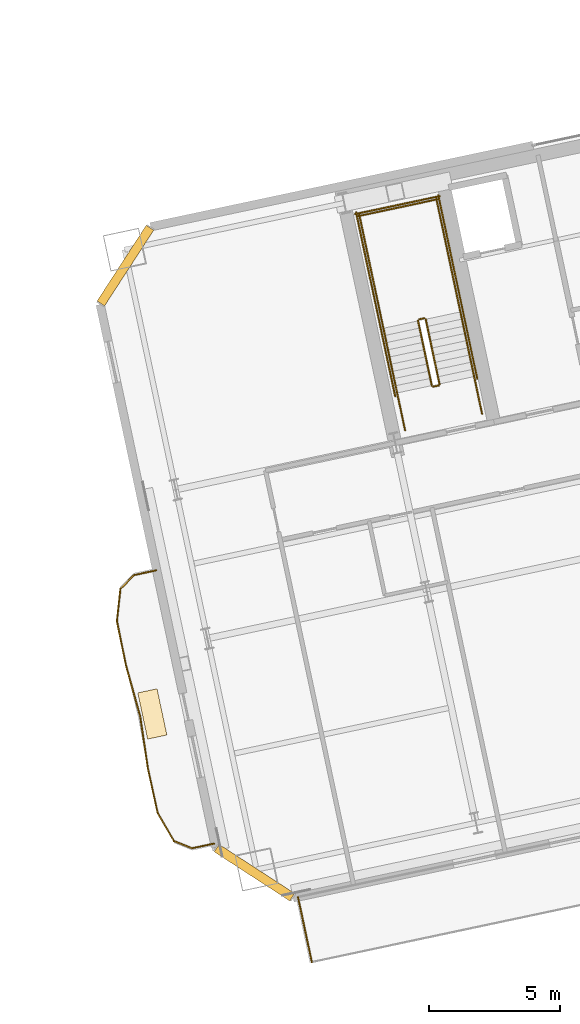
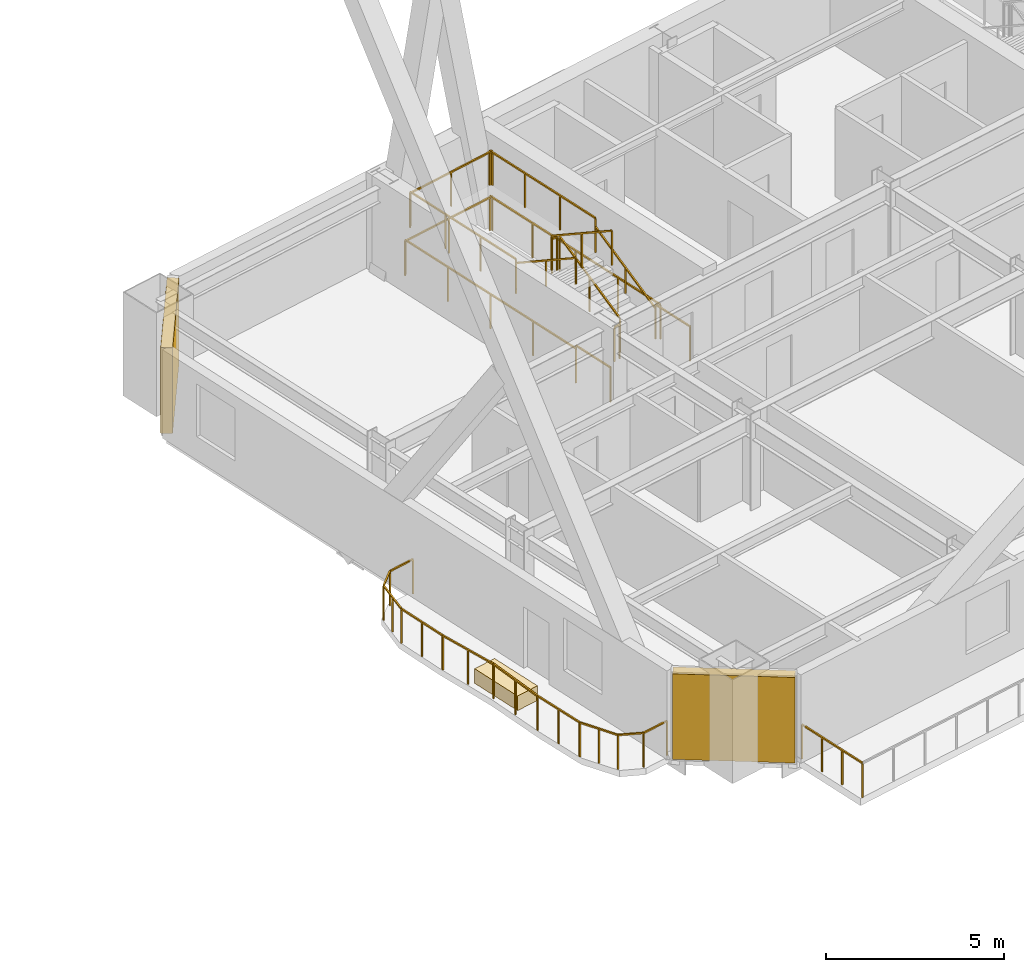
# One storey, part 20 of 22: 25 railings, 2 shading devices, 1 covering.
"""IFC4 building model written with IfcOpenShell, lengths in metres."""

from ifc_helpers import new_model, si_unit, direction, frame, origin, origin_2d, place, context, subcontext, project, spatial, rectangle, extrude, material, layer, layer_set, type_object, element, save


model = new_model("IFC4")

# Units and contexts
model_context = context("Model", 3, precision=1e-05, world=origin(), true_north=direction((0.0, 1.0)))
body_context = subcontext(model_context, "Body", "Model", "MODEL_VIEW")
ifc_project = project(units=[si_unit("LENGTHUNIT", "METRE"), si_unit("AREAUNIT", "SQUARE_METRE"), si_unit("VOLUMEUNIT", "CUBIC_METRE"), si_unit("PLANEANGLEUNIT", "RADIAN"), si_unit("MASSUNIT", "GRAM", prefix="KILO")], contexts=[model_context])

# Site, building, storey
site_placement = place(None, origin())
site = spatial("IfcSite", under=ifc_project, at=site_placement, CompositionType="ELEMENT")
building_placement = place(site_placement, origin())
building = spatial("IfcBuilding", under=site, at=building_placement, Name="Haevon Station Towers", CompositionType="ELEMENT")
storey_placement = place(building_placement, frame((0.0, 0.0, 93.300048828125)))
storey = spatial("IfcBuildingStorey", under=building, at=storey_placement, Name="L24", CompositionType="ELEMENT", Elevation=93.300048828125)

# Railings
ifc_material_1 = material(Name="Steel S355", Category="steel")
railing_type_1 = type_object("IfcRailingType", Name="GRD-EXT1200", PredefinedType="GUARDRAIL", material=ifc_material_1)
railing_1_placement = place(storey_placement, frame((95.0498046875, 20.1337890625, 0.0)))
element("IfcRailing", 1, at=railing_1_placement, inside=storey, type_object=railing_type_1, Name="L24 Perimeter Guardrail 3", PredefinedType="GUARDRAIL", context=body_context, shape_type="SweptSolid", body=[
    extrude(rectangle(XDim=0.048095703125, YDim=0.048095703125, at=origin_2d()), frame((0.0, 0.0, 1.17578125), z_axis=(0.20794288377, -0.978140969947, 0.0), x_axis=(0.978140969947, 0.20794288377, 0.0)), (0.0, 0.0, 1.0), 2.53369140625),
    extrude(rectangle(XDim=0.0419921875, YDim=0.0419921875, at=origin_2d()), origin(), (0.0, 0.0, 1.0), 1.15185546875),
    extrude(rectangle(XDim=0.0419921875, YDim=0.0419921875, at=origin_2d()), frame((0.175537109375, -0.826171875, 0.0)), (0.0, 0.0, 1.0), 1.15185546875),
    extrude(rectangle(XDim=0.0419921875, YDim=0.0419921875, at=origin_2d()), frame((0.351318359375, -1.652099609375, 0.0)), (0.0, 0.0, 1.0), 1.15185546875),
    extrude(rectangle(XDim=0.0419921875, YDim=0.0419921875, at=origin_2d()), frame((0.52685546875, -2.478271484375, 0.0)), (0.0, 0.0, 1.0), 1.15185546875),
])
railing_2_placement = place(storey_placement, frame((89.638671875, 32.588623046875, 0.0)))
element("IfcRailing", 2, at=railing_2_placement, inside=storey, type_object=railing_type_1, Name="L24 Perimeter Guardrail 1", PredefinedType="GUARDRAIL", context=body_context, shape_type="SweptSolid", body=[
    extrude(rectangle(XDim=0.048095703125, YDim=0.048095703125, at=origin_2d()), frame((0.0, 0.0, 1.17578125), z_axis=(-0.977695451476, -0.210027627141, 0.0), x_axis=(0.210027627141, -0.977695451476, 0.0)), (0.0, 0.0, 1.0), 0.869384765625),
    extrude(rectangle(XDim=0.0419921875, YDim=0.0419921875, at=origin_2d()), origin(), (0.0, 0.0, 1.0), 1.15185546875),
    extrude(rectangle(XDim=0.0419921875, YDim=0.0419921875, at=origin_2d()), frame((-0.85009765625, -0.1826171875, 0.0)), (0.0, 0.0, 1.0), 1.15185546875),
])
railing_3_placement = place(storey_placement, frame((88.78857421875, 32.406005859375, 0.0)))
element("IfcRailing", 3, at=railing_3_placement, inside=storey, type_object=railing_type_1, Name="L24 Perimeter Guardrail 2", PredefinedType="GUARDRAIL", context=body_context, shape_type="SweptSolid", body=[
    extrude(rectangle(XDim=0.048095703125, YDim=0.048095703125, at=origin_2d()), frame((0.0, 0.0, 1.17578125), z_axis=(-0.693155288845, -0.720788280667, 0.0), x_axis=(0.720788280667, -0.693155288845, 0.0)), (0.0, 0.0, 1.0), 0.7333984375),
    extrude(rectangle(XDim=0.0419921875, YDim=0.0419921875, at=origin_2d()), origin(), (0.0, 0.0, 1.0), 1.15185546875),
    extrude(rectangle(XDim=0.0419921875, YDim=0.0419921875, at=origin_2d()), frame((-0.50830078125, -0.528564453125, 0.0)), (0.0, 0.0, 1.0), 1.15185546875),
])
railing_4_placement = place(storey_placement, frame((88.2802734375, 31.87744140625, 0.0)))
element("IfcRailing", 4, at=railing_4_placement, inside=storey, type_object=railing_type_1, Name="L24 Perimeter Guardrail 3", PredefinedType="GUARDRAIL", context=body_context, shape_type="SweptSolid", body=[
    extrude(rectangle(XDim=0.048095703125, YDim=0.048095703125, at=origin_2d()), frame((0.0, 0.0, 1.17578125), z_axis=(-0.108080484783, -0.994142147185, 0.0), x_axis=(0.994142147185, -0.108080484783, 0.0)), (0.0, 0.0, 1.0), 1.231201171875),
    extrude(rectangle(XDim=0.0419921875, YDim=0.0419921875, at=origin_2d()), origin(), (0.0, 0.0, 1.0), 1.15185546875),
    extrude(rectangle(XDim=0.0419921875, YDim=0.0419921875, at=origin_2d()), frame((-0.06640625, -0.61181640625, 0.0)), (0.0, 0.0, 1.0), 1.15185546875),
    extrude(rectangle(XDim=0.0419921875, YDim=0.0419921875, at=origin_2d()), frame((-0.133056640625, -1.223876953125, 0.0)), (0.0, 0.0, 1.0), 1.15185546875),
])
railing_5_placement = place(storey_placement, frame((88.147216796875, 30.653564453125, 0.0)))
element("IfcRailing", 5, at=railing_5_placement, inside=storey, type_object=railing_type_1, Name="L24 Perimeter Guardrail 4", PredefinedType="GUARDRAIL", context=body_context, shape_type="SweptSolid", body=[
    extrude(rectangle(XDim=0.048095703125, YDim=0.048095703125, at=origin_2d()), frame((0.0, 0.0, 1.17578125), z_axis=(0.201507232701, -0.979487026545, 0.0), x_axis=(0.979487026545, 0.201507232701, 0.0)), (0.0, 0.0, 1.0), 1.74951171875),
    extrude(rectangle(XDim=0.0419921875, YDim=0.0419921875, at=origin_2d()), origin(), (0.0, 0.0, 1.0), 1.15185546875),
    extrude(rectangle(XDim=0.0419921875, YDim=0.0419921875, at=origin_2d()), frame((0.17626953125, -0.85693359375, 0.0)), (0.0, 0.0, 1.0), 1.15185546875),
    extrude(rectangle(XDim=0.0419921875, YDim=0.0419921875, at=origin_2d()), frame((0.3525390625, -1.713623046875, 0.0)), (0.0, 0.0, 1.0), 1.15185546875),
])
railing_6_placement = place(storey_placement, frame((88.499755859375, 28.93994140625, 0.0)))
element("IfcRailing", 6, at=railing_6_placement, inside=storey, type_object=railing_type_1, Name="L24 Perimeter Guardrail 5", PredefinedType="GUARDRAIL", context=body_context, shape_type="SweptSolid", body=[
    extrude(rectangle(XDim=0.048095703125, YDim=0.048095703125, at=origin_2d()), frame((0.0, 0.0, 1.17578125), z_axis=(0.268894073519, -0.963169755145, 0.0), x_axis=(0.963169755145, 0.268894073519, 0.0)), (0.0, 0.0, 1.0), 1.993896484375),
    extrude(rectangle(XDim=0.0419921875, YDim=0.0419921875, at=origin_2d()), origin(), (0.0, 0.0, 1.0), 1.15185546875),
    extrude(rectangle(XDim=0.0419921875, YDim=0.0419921875, at=origin_2d()), frame((0.26806640625, -0.960205078125, 0.0)), (0.0, 0.0, 1.0), 1.15185546875),
    extrude(rectangle(XDim=0.0419921875, YDim=0.0419921875, at=origin_2d()), frame((0.5361328125, -1.92041015625, 0.0)), (0.0, 0.0, 1.0), 1.15185546875),
])
railing_7_placement = place(storey_placement, frame((89.035888671875, 27.01953125, 0.0)))
element("IfcRailing", 7, at=railing_7_placement, inside=storey, type_object=railing_type_1, Name="L24 Perimeter Guardrail 6", PredefinedType="GUARDRAIL", context=body_context, shape_type="SweptSolid", body=[
    extrude(rectangle(XDim=0.048095703125, YDim=0.048095703125, at=origin_2d()), frame((0.0, 0.0, 1.17578125), z_axis=(0.14608267793, -0.98927238474, 0.0), x_axis=(0.98927238474, 0.14608267793, 0.0)), (0.0, 0.0, 1.0), 1.993896484375),
    extrude(rectangle(XDim=0.0419921875, YDim=0.0419921875, at=origin_2d()), origin(), (0.0, 0.0, 1.0), 1.15185546875),
    extrude(rectangle(XDim=0.0419921875, YDim=0.0419921875, at=origin_2d()), frame((0.1455078125, -0.986328125, 0.0)), (0.0, 0.0, 1.0), 1.15185546875),
    extrude(rectangle(XDim=0.0419921875, YDim=0.0419921875, at=origin_2d()), frame((0.291259765625, -1.972412109375, 0.0)), (0.0, 0.0, 1.0), 1.15185546875),
])
railing_8_placement = place(storey_placement, frame((89.3271484375, 25.047119140625, 0.0)))
element("IfcRailing", 8, at=railing_8_placement, inside=storey, type_object=railing_type_1, Name="L24 Perimeter Guardrail 7", PredefinedType="GUARDRAIL", context=body_context, shape_type="SweptSolid", body=[
    extrude(rectangle(XDim=0.048095703125, YDim=0.048095703125, at=origin_2d()), frame((0.0, 0.0, 1.17578125), z_axis=(0.214329368648, -0.976761445664, 0.0), x_axis=(0.976761445664, 0.214329368648, 0.0)), (0.0, 0.0, 1.0), 1.749755859375),
    extrude(rectangle(XDim=0.0419921875, YDim=0.0419921875, at=origin_2d()), origin(), (0.0, 0.0, 1.0), 1.15185546875),
    extrude(rectangle(XDim=0.0419921875, YDim=0.0419921875, at=origin_2d()), frame((0.1875, -0.8544921875, 0.0)), (0.0, 0.0, 1.0), 1.15185546875),
    extrude(rectangle(XDim=0.0419921875, YDim=0.0419921875, at=origin_2d()), frame((0.375, -1.708984375, 0.0)), (0.0, 0.0, 1.0), 1.15185546875),
])
railing_9_placement = place(storey_placement, frame((89.7021484375, 23.338134765625, 0.0)))
element("IfcRailing", 9, at=railing_9_placement, inside=storey, type_object=railing_type_1, Name="L24 Perimeter Guardrail 8", PredefinedType="GUARDRAIL", context=body_context, shape_type="SweptSolid", body=[
    extrude(rectangle(XDim=0.048095703125, YDim=0.048095703125, at=origin_2d()), frame((0.0, 0.0, 1.17578125), z_axis=(0.503106367828, -0.864224497831, 0.0), x_axis=(0.864224497831, 0.503106367828, 0.0)), (0.0, 0.0, 1.0), 1.231201171875),
    extrude(rectangle(XDim=0.0419921875, YDim=0.0419921875, at=origin_2d()), origin(), (0.0, 0.0, 1.0), 1.15185546875),
    extrude(rectangle(XDim=0.0419921875, YDim=0.0419921875, at=origin_2d()), frame((0.3095703125, -0.531982421875, 0.0)), (0.0, 0.0, 1.0), 1.15185546875),
    extrude(rectangle(XDim=0.0419921875, YDim=0.0419921875, at=origin_2d()), frame((0.619384765625, -1.06396484375, 0.0)), (0.0, 0.0, 1.0), 1.15185546875),
])
railing_10_placement = place(storey_placement, frame((90.321533203125, 22.274169921875, 0.0)))
element("IfcRailing", 10, at=railing_10_placement, inside=storey, type_object=railing_type_1, Name="L24 Perimeter Guardrail 9", PredefinedType="GUARDRAIL", context=body_context, shape_type="SweptSolid", body=[
    extrude(rectangle(XDim=0.048095703125, YDim=0.048095703125, at=origin_2d()), frame((0.0, 0.0, 1.17578125), z_axis=(0.926419413444, -0.37649312131, 0.0), x_axis=(0.37649312131, 0.926419413444, 0.0)), (0.0, 0.0, 1.0), 0.7333984375),
    extrude(rectangle(XDim=0.0419921875, YDim=0.0419921875, at=origin_2d()), origin(), (0.0, 0.0, 1.0), 1.15185546875),
    extrude(rectangle(XDim=0.0419921875, YDim=0.0419921875, at=origin_2d()), frame((0.679443359375, -0.276123046875, 0.0)), (0.0, 0.0, 1.0), 1.15185546875),
])
railing_11_placement = place(storey_placement, frame((91.0009765625, 21.998046875, 0.0)))
element("IfcRailing", 11, at=railing_11_placement, inside=storey, type_object=railing_type_1, Name="L24 Perimeter Guardrail 10", PredefinedType="GUARDRAIL", context=body_context, shape_type="SweptSolid", body=[
    extrude(rectangle(XDim=0.048095703125, YDim=0.048095703125, at=origin_2d()), frame((0.0, 0.0, 1.17578125), z_axis=(0.978588498747, 0.205826504901, 0.0), x_axis=(-0.205826504901, 0.978588498747, 0.0)), (0.0, 0.0, 1.0), 0.869384765625),
    extrude(rectangle(XDim=0.0419921875, YDim=0.0419921875, at=origin_2d()), origin(), (0.0, 0.0, 1.0), 1.15185546875),
    extrude(rectangle(XDim=0.0419921875, YDim=0.0419921875, at=origin_2d()), frame((0.850830078125, 0.178955078125, 0.0)), (0.0, 0.0, 1.0), 1.15185546875),
])
railing_type_2 = type_object("IfcRailingType", Name="GRD-STR1200", PredefinedType="GUARDRAIL", material=ifc_material_1)
railing_12_placement = place(storey_placement, frame((100.44140625, 39.69287109375, 0.1650390625)))
element("IfcRailing", 12, at=railing_12_placement, inside=storey, type_object=railing_type_2, Name="L24 ST3 Stair Guard 1", PredefinedType="GUARDRAIL", context=body_context, shape_type="SweptSolid", body=[
    extrude(rectangle(XDim=0.048095703125, YDim=0.048095703125, at=origin_2d()), frame((0.0, 0.0, 1.17578125), z_axis=(-0.179128856099, 0.842723639875, 0.507670877349), x_axis=(-0.978147030254, -0.207914374695, 0.0)), (0.0, 0.0, 1.0), 2.9248046875),
    extrude(rectangle(XDim=0.0419921875, YDim=0.0419921875, at=origin_2d()), origin(), (0.0, 0.0, 1.0), 1.15185546875),
    extrude(rectangle(XDim=0.0419921875, YDim=0.0419921875, at=origin_2d()), frame((-0.261962890625, 1.232421875, 0.742431640625)), (0.0, 0.0, 1.0), 1.15185546875),
    extrude(rectangle(XDim=0.0419921875, YDim=0.0419921875, at=origin_2d()), frame((-0.52392578125, 2.46484375, 1.48486328125)), (0.0, 0.0, 1.0), 1.15185546875),
])
railing_13_placement = place(storey_placement, frame((99.858154296875, 42.1962890625, 1.64990234375)))
element("IfcRailing", 13, at=railing_13_placement, inside=storey, type_object=railing_type_2, Name="L24 ST3 Stair Guard 2", PredefinedType="GUARDRAIL", context=body_context, shape_type="SweptSolid", body=[
    extrude(rectangle(XDim=0.048095703125, YDim=0.048095703125, at=origin_2d()), frame((0.0, 0.0, 1.17578125), z_axis=(-0.977962931203, -0.208778603291, 0.0), x_axis=(0.208778603291, -0.977962931203, 0.0)), (0.0, 0.0, 1.0), 0.199951171875),
    extrude(rectangle(XDim=0.0419921875, YDim=0.0419921875, at=origin_2d()), origin(), (0.0, 0.0, 1.0), 1.15185546875),
    extrude(rectangle(XDim=0.0419921875, YDim=0.0419921875, at=origin_2d()), frame((-0.195556640625, -0.041748046875, 0.0)), (0.0, 0.0, 1.0), 1.15185546875),
])
railing_14_placement = place(storey_placement, frame((101.238037109375, 42.4384765625, 1.64990234375)))
element("IfcRailing", 14, at=railing_14_placement, inside=storey, type_object=railing_type_2, Name="L24 ST3 Stair Guard 3", PredefinedType="GUARDRAIL", context=body_context, shape_type="SweptSolid", body=[
    extrude(rectangle(XDim=0.048095703125, YDim=0.048095703125, at=origin_2d()), frame((0.0, 0.0, 1.17578125), z_axis=(-0.20794048909, 0.978141479029, 0.0), x_axis=(-0.978141479029, -0.20794048909, 0.0)), (0.0, 0.0, 1.0), 4.429931640625),
    extrude(rectangle(XDim=0.0419921875, YDim=0.0419921875, at=origin_2d()), origin(), (0.0, 0.0, 1.0), 1.15185546875),
    extrude(rectangle(XDim=0.0419921875, YDim=0.0419921875, at=origin_2d()), frame((-0.30712890625, 1.4443359375, 0.0)), (0.0, 0.0, 1.0), 1.15185546875),
    extrude(rectangle(XDim=0.0419921875, YDim=0.0419921875, at=origin_2d()), frame((-0.614013671875, 2.888671875, 0.0)), (0.0, 0.0, 1.0), 1.15185546875),
    extrude(rectangle(XDim=0.0419921875, YDim=0.0419921875, at=origin_2d()), frame((-0.921142578125, 4.3330078125, 0.0)), (0.0, 0.0, 1.0), 1.15185546875),
])
railing_15_placement = place(storey_placement, frame((98.303466796875, 41.814697265625, 1.64990234375)))
element("IfcRailing", 15, at=railing_15_placement, inside=storey, type_object=railing_type_2, Name="L24 ST3 Stair Guard 4", PredefinedType="GUARDRAIL", context=body_context, shape_type="SweptSolid", body=[
    extrude(rectangle(XDim=0.048095703125, YDim=0.048095703125, at=origin_2d()), frame((0.0, 0.0, 1.17578125), z_axis=(-0.207876551949, 0.978155069071, 0.0), x_axis=(-0.978155069071, -0.207876551949, 0.0)), (0.0, 0.0, 1.0), 4.429931640625),
    extrude(rectangle(XDim=0.0419921875, YDim=0.0419921875, at=origin_2d()), origin(), (0.0, 0.0, 1.0), 1.15185546875),
    extrude(rectangle(XDim=0.0419921875, YDim=0.0419921875, at=origin_2d()), frame((-0.306884765625, 1.4443359375, 0.0)), (0.0, 0.0, 1.0), 1.15185546875),
    extrude(rectangle(XDim=0.0419921875, YDim=0.0419921875, at=origin_2d()), frame((-0.614013671875, 2.888916015625, 0.0)), (0.0, 0.0, 1.0), 1.15185546875),
    extrude(rectangle(XDim=0.0419921875, YDim=0.0419921875, at=origin_2d()), frame((-0.9208984375, 4.333251953125, 0.0)), (0.0, 0.0, 1.0), 1.15185546875),
])
railing_16_placement = place(storey_placement, frame((100.376220703125, 46.733154296875, 1.64990234375)))
element("IfcRailing", 16, at=railing_16_placement, inside=storey, type_object=railing_type_2, Name="L24 ST3 Stair Guard 5", PredefinedType="GUARDRAIL", context=body_context, shape_type="SweptSolid", body=[
    extrude(rectangle(XDim=0.048095703125, YDim=0.048095703125, at=origin_2d()), frame((0.0, 0.0, 1.17578125), z_axis=(-0.978146839882, -0.207915270313, 0.0), x_axis=(0.207915270313, -0.978146839882, 0.0)), (0.0, 0.0, 1.0), 3.099853515625),
    extrude(rectangle(XDim=0.0419921875, YDim=0.0419921875, at=origin_2d()), origin(), (0.0, 0.0, 1.0), 1.15185546875),
    extrude(rectangle(XDim=0.0419921875, YDim=0.0419921875, at=origin_2d()), frame((-1.51611328125, -0.322265625, 0.0)), (0.0, 0.0, 1.0), 1.15185546875),
    extrude(rectangle(XDim=0.0419921875, YDim=0.0419921875, at=origin_2d()), frame((-3.0322265625, -0.64453125, 0.0)), (0.0, 0.0, 1.0), 1.15185546875),
])
railing_17_placement = place(storey_placement, frame((99.6240234375, 42.09521484375, 1.81494140625)))
element("IfcRailing", 17, at=railing_17_placement, inside=storey, type_object=railing_type_2, Name="L24 ST3 Stair Guard 6", PredefinedType="GUARDRAIL", context=body_context, shape_type="SweptSolid", body=[
    extrude(rectangle(XDim=0.048095703125, YDim=0.048095703125, at=origin_2d()), frame((0.0, 0.0, 1.17578125), z_axis=(0.179121265225, -0.842687928106, 0.507732831485), x_axis=(0.978147030254, 0.207914374695, 0.0)), (0.0, 0.0, 1.0), 2.925048828125),
    extrude(rectangle(XDim=0.0419921875, YDim=0.0419921875, at=origin_2d()), origin(), (0.0, 0.0, 1.0), 1.15185546875),
    extrude(rectangle(XDim=0.0419921875, YDim=0.0419921875, at=origin_2d()), frame((0.261962890625, -1.232421875, 0.74267578125)), (0.0, 0.0, 1.0), 1.15185546875),
    extrude(rectangle(XDim=0.0419921875, YDim=0.0419921875, at=origin_2d()), frame((0.52392578125, -2.46484375, 1.485107421875)), (0.0, 0.0, 1.0), 1.15185546875),
])
railing_18_placement = place(storey_placement, frame((100.40283203125, 39.633544921875, 0.0)))
element("IfcRailing", 18, at=railing_18_placement, inside=storey, type_object=railing_type_2, Name="L24 ST3 Stair Guard 7", PredefinedType="GUARDRAIL", context=body_context, shape_type="SweptSolid", body=[
    extrude(rectangle(XDim=0.048095703125, YDim=0.048095703125, at=origin_2d()), frame((0.0, 0.0, 1.17578125), z_axis=(-0.977962931203, -0.208778603291, 0.0), x_axis=(0.208778603291, -0.977962931203, 0.0)), (0.0, 0.0, 1.0), 0.199951171875),
    extrude(rectangle(XDim=0.0419921875, YDim=0.0419921875, at=origin_2d()), origin(), (0.0, 0.0, 1.0), 1.15185546875),
    extrude(rectangle(XDim=0.0419921875, YDim=0.0419921875, at=origin_2d()), frame((-0.195556640625, -0.041748046875, 0.0)), (0.0, 0.0, 1.0), 1.15185546875),
])
for number, where, name in (
    (19, (102.0634765625, 38.55517578125, 0.0), "L24 ST3 Stair Guard 8"),
    (20, (99.12890625, 37.931396484375, 0.0), "L24 ST3 Stair Guard 9"),
):
    element("IfcRailing", number, at=place(storey_placement, frame(where)), inside=storey, type_object=railing_type_2, Name=name, PredefinedType="GUARDRAIL", context=body_context, shape_type="SweptSolid", body=[
        extrude(rectangle(XDim=0.048095703125, YDim=0.048095703125, at=origin_2d()), frame((0.0, 0.0, 1.17578125), z_axis=(-0.207953405961, 0.978138732977, 0.0), x_axis=(-0.978138732977, -0.207953405961, 0.0)), (0.0, 0.0, 1.0), 1.449951171875),
        extrude(rectangle(XDim=0.0419921875, YDim=0.0419921875, at=origin_2d()), origin(), (0.0, 0.0, 1.0), 1.15185546875),
        extrude(rectangle(XDim=0.0419921875, YDim=0.0419921875, at=origin_2d()), frame((-0.301513671875, 1.418212890625, 0.0)), (0.0, 0.0, 1.0), 1.15185546875),
    ])
railing_19_placement = place(storey_placement, frame((101.88037109375, 39.896484375, 0.0)))
element("IfcRailing", 21, at=railing_19_placement, inside=storey, type_object=railing_type_2, Name="L24 ST3 Stair Guard 10", PredefinedType="GUARDRAIL", context=body_context, shape_type="SweptSolid", body=[
    extrude(rectangle(XDim=0.048095703125, YDim=0.048095703125, at=origin_2d()), frame((0.0, 0.0, 1.17578125), z_axis=(-0.207882442208, 0.978153817261, 0.0), x_axis=(-0.978153817261, -0.207882442208, 0.0)), (0.0, 0.0, 1.0), 7.14990234375),
    extrude(rectangle(XDim=0.0419921875, YDim=0.0419921875, at=origin_2d()), origin(), (0.0, 0.0, 1.0), 1.15185546875),
    extrude(rectangle(XDim=0.0419921875, YDim=0.0419921875, at=origin_2d()), frame((-0.37158203125, 1.74853515625, 0.0)), (0.0, 0.0, 1.0), 1.15185546875),
    extrude(rectangle(XDim=0.0419921875, YDim=0.0419921875, at=origin_2d()), frame((-0.7431640625, 3.496826171875, 0.0)), (0.0, 0.0, 1.0), 1.15185546875),
    extrude(rectangle(XDim=0.0419921875, YDim=0.0419921875, at=origin_2d()), frame((-1.11474609375, 5.2451171875, 0.0)), (0.0, 0.0, 1.0), 1.15185546875),
    extrude(rectangle(XDim=0.0419921875, YDim=0.0419921875, at=origin_2d()), frame((-1.486328125, 6.99365234375, 0.0)), (0.0, 0.0, 1.0), 1.15185546875),
])
railing_20_placement = place(storey_placement, frame((98.75048828125, 39.231201171875, 0.0)))
element("IfcRailing", 22, at=railing_20_placement, inside=storey, type_object=railing_type_2, Name="L24 ST3 Stair Guard 11", PredefinedType="GUARDRAIL", context=body_context, shape_type="SweptSolid", body=[
    extrude(rectangle(XDim=0.048095703125, YDim=0.048095703125, at=origin_2d()), frame((0.0, 0.0, 1.17578125), z_axis=(-0.207915112487, 0.978146873429, 0.0), x_axis=(-0.978146873429, -0.207915112487, 0.0)), (0.0, 0.0, 1.0), 7.14990234375),
    extrude(rectangle(XDim=0.0419921875, YDim=0.0419921875, at=origin_2d()), origin(), (0.0, 0.0, 1.0), 1.15185546875),
    extrude(rectangle(XDim=0.0419921875, YDim=0.0419921875, at=origin_2d()), frame((-0.37158203125, 1.74853515625, 0.0)), (0.0, 0.0, 1.0), 1.15185546875),
    extrude(rectangle(XDim=0.0419921875, YDim=0.0419921875, at=origin_2d()), frame((-0.7431640625, 3.496826171875, 0.0)), (0.0, 0.0, 1.0), 1.15185546875),
    extrude(rectangle(XDim=0.0419921875, YDim=0.0419921875, at=origin_2d()), frame((-1.114990234375, 5.2451171875, 0.0)), (0.0, 0.0, 1.0), 1.15185546875),
    extrude(rectangle(XDim=0.0419921875, YDim=0.0419921875, at=origin_2d()), frame((-1.486572265625, 6.99365234375, 0.0)), (0.0, 0.0, 1.0), 1.15185546875),
])
railing_21_placement = place(storey_placement, frame((100.453125, 46.8515625, 0.0)))
element("IfcRailing", 23, at=railing_21_placement, inside=storey, type_object=railing_type_2, Name="L24 ST3 Stair Guard 12", PredefinedType="GUARDRAIL", context=body_context, shape_type="SweptSolid", body=[
    extrude(rectangle(XDim=0.048095703125, YDim=0.048095703125, at=origin_2d()), frame((0.0, 0.0, 1.17578125), z_axis=(-0.978150764849, -0.207896804268, 0.0), x_axis=(0.207896804268, -0.978150764849, 0.0)), (0.0, 0.0, 1.0), 3.2998046875),
    extrude(rectangle(XDim=0.0419921875, YDim=0.0419921875, at=origin_2d()), origin(), (0.0, 0.0, 1.0), 1.15185546875),
    extrude(rectangle(XDim=0.0419921875, YDim=0.0419921875, at=origin_2d()), frame((-1.61376953125, -0.343017578125, 0.0)), (0.0, 0.0, 1.0), 1.15185546875),
    extrude(rectangle(XDim=0.0419921875, YDim=0.0419921875, at=origin_2d()), frame((-3.227783203125, -0.68603515625, 0.0)), (0.0, 0.0, 1.0), 1.15185546875),
])
railing_type_3 = type_object("IfcRailingType", Name="HND-STR900", PredefinedType="HANDRAIL", material=ifc_material_1)
railing_22_placement = place(storey_placement, frame((101.761962890625, 39.973388671875, 0.1650390625)))
element("IfcRailing", 24, at=railing_22_placement, inside=storey, type_object=railing_type_3, Name="L24 ST3 Stair Handrail 1", PredefinedType="HANDRAIL", context=body_context, shape_type="SweptSolid", body=[
    extrude(rectangle(XDim=0.048095703125, YDim=0.048095703125, at=origin_2d()), frame((0.0, 0.0, 0.8759765625), z_axis=(-0.179116256339, 0.842747828638, 0.507635168246), x_axis=(-0.978151217824, -0.207894673017, 0.0)), (0.0, 0.0, 1.0), 2.925048828125),
    extrude(rectangle(XDim=0.0419921875, YDim=0.0419921875, at=origin_2d()), origin(), (0.0, 0.0, 1.0), 0.851806640625),
    extrude(rectangle(XDim=0.0419921875, YDim=0.0419921875, at=origin_2d()), frame((-0.261962890625, 1.232421875, 0.742431640625)), (0.0, 0.0, 1.0), 0.851806640625),
    extrude(rectangle(XDim=0.0419921875, YDim=0.0419921875, at=origin_2d()), frame((-0.52392578125, 2.465087890625, 1.48486328125)), (0.0, 0.0, 1.0), 0.851806640625),
])
railing_23_placement = place(storey_placement, frame((98.303466796875, 41.814697265625, 1.81494140625)))
element("IfcRailing", 25, at=railing_23_placement, inside=storey, type_object=railing_type_3, Name="L24 ST3 Stair Handrail 2", PredefinedType="HANDRAIL", context=body_context, shape_type="SweptSolid", body=[
    extrude(rectangle(XDim=0.048095703125, YDim=0.048095703125, at=origin_2d()), frame((0.0, 0.0, 0.8759765625), z_axis=(0.179108667068, -0.842712120868, 0.50769712105), x_axis=(0.978151217824, 0.207894673017, 0.0)), (0.0, 0.0, 1.0), 2.92529296875),
    extrude(rectangle(XDim=0.0419921875, YDim=0.0419921875, at=origin_2d()), origin(), (0.0, 0.0, 1.0), 0.851806640625),
    extrude(rectangle(XDim=0.0419921875, YDim=0.0419921875, at=origin_2d()), frame((0.261962890625, -1.232421875, 0.74267578125)), (0.0, 0.0, 1.0), 0.851806640625),
    extrude(rectangle(XDim=0.0419921875, YDim=0.0419921875, at=origin_2d()), frame((0.52392578125, -2.465087890625, 1.485107421875)), (0.0, 0.0, 1.0), 0.851806640625),
])

# Covering
ifc_material_2 = material(Name="Architectural planter GRC", Category="concrete")
ifc_layer_1 = layer(ifc_material_2, 0.550048828125)
ifc_layer_set_1 = layer_set([ifc_layer_1], Name="Architectural planter GRC")
covering_type = type_object("IfcCoveringType", Name="PLN-GRC550", PredefinedType="MOLDING", material=ifc_layer_set_1)
covering_placement = place(storey_placement, frame((89.4990234375, 27.117919921875, 0.0), z_axis=(0.0, 0.0, 1.0), x_axis=(0.978147600734, 0.207911690818, 0.0)))
element("IfcCovering", 26, at=covering_placement, inside=storey, type_object=covering_type, Name="Tower 2 L24 Scalloped Balcony PLANTER", PredefinedType="MOLDING", context=body_context, shape_type="SweptSolid", body=[
    extrude(rectangle(XDim=0.75, YDim=1.800048828125, at=origin_2d()), origin(), (0.0, 0.0, 1.0), 0.5),
])

# Shading devices
ifc_material_3 = material(Name="Anodised aluminium 6063-T6", Category="aluminium")
ifc_layer_2 = layer(ifc_material_3, 0.139892578125)
ifc_layer_set_2 = layer_set([ifc_layer_2], Name="Anodised aluminium 6063-T6")
shading_device_type = type_object("IfcShadingDeviceType", Name="SHD-WIND-BAFFLE", PredefinedType="SHUTTER", material=ifc_layer_set_2)
for number, where, z_axis, x_axis, name in (
    (27, (93.38916015625, 21.069580078125, 0.0498046875), (0.0, 0.0, 1.0), (-0.838670648839, 0.544638910449, 0.0), "Tower 2 L24 Wind-Corner Aerofoil Baffle SWC"),
    (28, (88.47216796875, 44.202880859375, 0.0498046875), (0.0, 0.0, 1.0), (0.544639109388, 0.838670519647, 0.0), "Tower 2 L24 Wind-Corner Aerofoil Baffle NWC"),
):
    element("IfcShadingDevice", number, at=place(storey_placement, frame(where, z_axis=z_axis, x_axis=x_axis)), inside=storey, type_object=shading_device_type, Name=name, PredefinedType="SHUTTER", context=body_context, shape_type="SweptSolid", body=[
        extrude(rectangle(XDim=3.435546875, YDim=0.340087890625, at=origin_2d()), origin(), (0.0, 0.0, 1.0), 2.929931640625),
    ])

save(model, "model.ifc")
